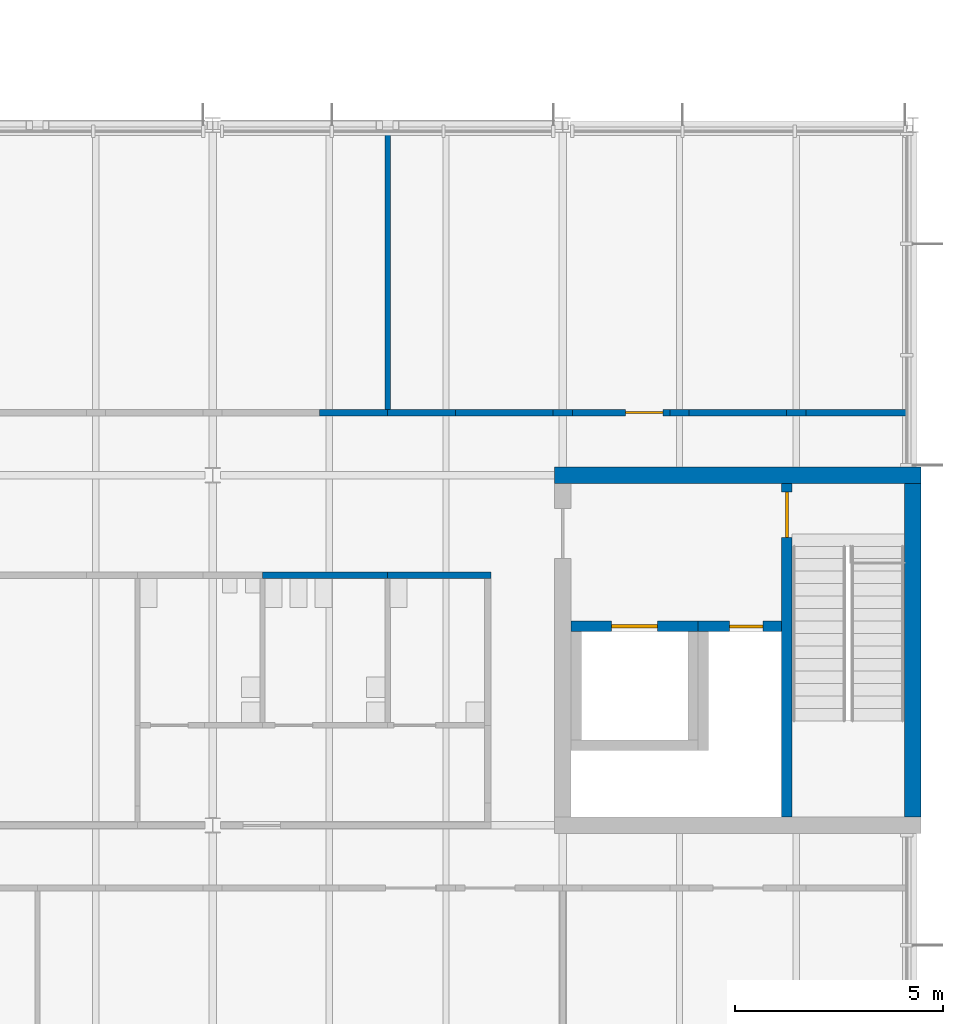
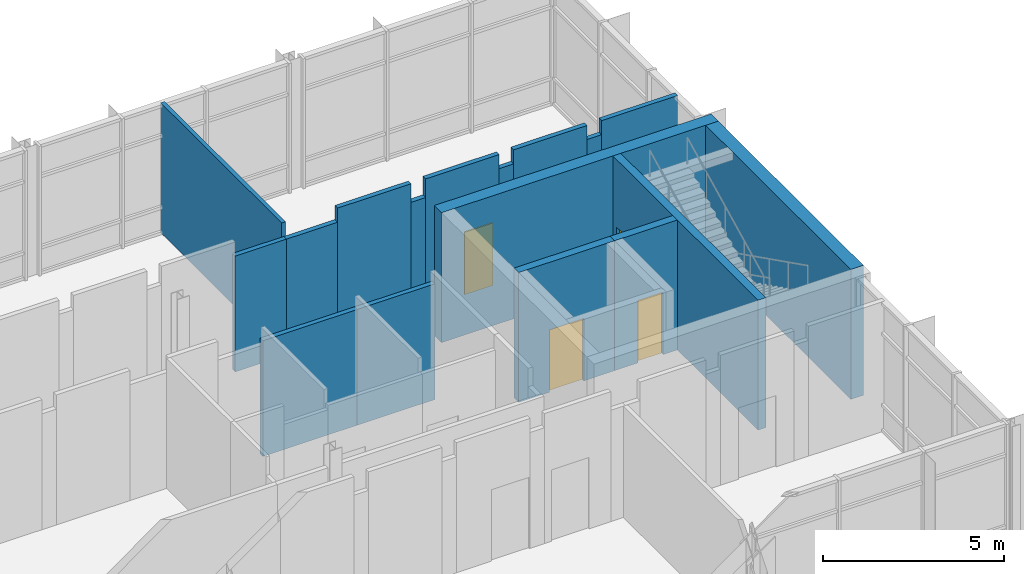
# One storey, part 49 of 72: 17 walls, 4 doors, 4 openings.
"""IFC4 building model written with IfcOpenShell, lengths in metres."""

import ifcopenshell
import ifcopenshell.guid

model = None  # the IFC model being written
_history = None  # IfcOwnerHistory: only IFC2X3 demands one
_inside = {}  # id of a spatial element -> (the spatial element, [elements in it])
_under = {}  # id of a project, library or spatial element -> (it, [spatial elements below it])
_declared = {}  # id of a project -> (the project, [libraries it declares])
_typed = {}  # id of a type object -> (the type object, [elements of that type])
_made_of = {}  # id of a material, layer set ... -> (it, [elements and type objects made of it])


def new_model(schema):
    """Start an empty IFC model of exactly this schema.

    Asked for "IFC4X3", IfcOpenShell would pick the latest addendum, in which some entities
    have other attributes; the version numbers below select the first issue.
    IFC2X3 requires an IfcOwnerHistory on every rooted entity: one is made here for all.
    """
    global model, _history
    if schema == "IFC4X3":
        model = ifcopenshell.file(schema_version=(4, 3, 0, 0))
    else:
        model = ifcopenshell.file(schema=schema)
    _inside.clear()
    _under.clear()
    _declared.clear()
    _typed.clear()
    _made_of.clear()
    _history = None
    if model.schema == "IFC2X3":
        org = make("IfcOrganization", Name="unknown")
        user = make(
            "IfcPersonAndOrganization",
            ThePerson=make("IfcPerson", FamilyName="unknown"),
            TheOrganization=org,
        )
        app = make(
            "IfcApplication",
            ApplicationDeveloper=org,
            Version="unknown",
            ApplicationFullName="unknown",
            ApplicationIdentifier="unknown",
        )
        _history = make(
            "IfcOwnerHistory",
            OwningUser=user,
            OwningApplication=app,
            ChangeAction="ADDED",
            CreationDate=0,
        )
    return model


def make(cls, **values):
    """One entity of the class cls with the attributes given. An attribute that is None is left unset."""
    return model.create_entity(
        cls, **{name: value for name, value in values.items() if value is not None}
    )


def rooted(cls, **values):
    """An entity with a GlobalId (a new one), such as an element, a storey or a relation."""
    return make(cls, GlobalId=ifcopenshell.guid.new(), OwnerHistory=_history, **values)


def si_unit(unit_type, name, prefix=None):
    """IfcSIUnit, for example si_unit("LENGTHUNIT", "METRE", prefix="MILLI")."""
    return make("IfcSIUnit", UnitType=unit_type, Prefix=prefix, Name=name)


def assignment(units):
    """IfcUnitAssignment: the units of a project."""
    return None if units is None else make("IfcUnitAssignment", Units=units)


def point(xyz):
    """IfcCartesianPoint."""
    return None if xyz is None else make("IfcCartesianPoint", Coordinates=xyz)


def direction(xyz):
    """IfcDirection."""
    return None if xyz is None else make("IfcDirection", DirectionRatios=xyz)


def frame(location, z_axis=None, x_axis=None):
    """IfcAxis2Placement3D, a coordinate frame: its origin and axes. An axis left out is left unset."""
    return make(
        "IfcAxis2Placement3D",
        Location=point(location),
        Axis=direction(z_axis),
        RefDirection=direction(x_axis),
    )


def frame_2d(location, x_axis=None):
    """IfcAxis2Placement2D, a coordinate frame in the plane: its origin and x axis."""
    return make(
        "IfcAxis2Placement2D", Location=point(location), RefDirection=direction(x_axis)
    )


def origin():
    """The frame at (0, 0, 0) with its axes left unset."""
    return frame((0.0, 0.0, 0.0))


def place(relative_to, where):
    """IfcLocalPlacement: puts the frame where relative to a parent placement (None: the world)."""
    return make(
        "IfcLocalPlacement", PlacementRelTo=relative_to, RelativePlacement=where
    )


def context(
    kind, dimensions, precision=None, world=None, true_north=None, identifier=None
):
    """IfcGeometricRepresentationContext, for example the 3D "Model" context."""
    return make(
        "IfcGeometricRepresentationContext",
        ContextIdentifier=identifier,
        ContextType=kind,
        CoordinateSpaceDimension=dimensions,
        Precision=precision,
        WorldCoordinateSystem=world,
        TrueNorth=true_north,
    )


def subcontext(parent, identifier, kind, view, scale=None):
    """IfcGeometricRepresentationSubContext, for example "Body" below "Model"."""
    return make(
        "IfcGeometricRepresentationSubContext",
        ContextIdentifier=identifier,
        ContextType=kind,
        ParentContext=parent,
        TargetScale=scale,
        TargetView=view,
    )


def project(units=None, contexts=None):
    """IfcProject with its units and contexts."""
    return rooted(
        "IfcProject",
        Name="project",
        RepresentationContexts=contexts,
        UnitsInContext=assignment(units),
    )


def spatial(cls, under=None, at=None, **own):
    """A site, building, storey or space (cls), placed at a placement, below another one or the project."""
    s = rooted(cls, ObjectPlacement=at, **own)
    if under is not None:
        _under.setdefault(under.id(), (under, []))[1].append(s)
    return s


def profile(cls, at=None, kind="AREA", **sizes):
    """A parametric profile (cls). Its sizes go by their IFC names, for example OverallWidth=200.0."""
    return make(cls, ProfileType=kind, Position=at, **sizes)


def rectangle(**sizes):
    """IfcRectangleProfileDef."""
    return profile("IfcRectangleProfileDef", **sizes)


def extrude(swept, where, along, depth):
    """IfcExtrudedAreaSolid: the profile swept, set in the frame where, extruded along a direction by depth."""
    return make(
        "IfcExtrudedAreaSolid",
        SweptArea=swept,
        Position=where,
        ExtrudedDirection=direction(along),
        Depth=depth,
    )


def shape(context_of_items, identifier, shape_type, items):
    """IfcShapeRepresentation: the items that make up one representation, for example the "Body"."""
    return make(
        "IfcShapeRepresentation",
        ContextOfItems=context_of_items,
        RepresentationIdentifier=identifier,
        RepresentationType=shape_type,
        Items=items,
    )


def material(Name=None, Category=None):
    """IfcMaterial."""
    return make("IfcMaterial", Name=Name, Category=Category)


def layer(
    of_material, thickness, ventilated=None, Name=None, Category=None, Priority=None
):
    """IfcMaterialLayer: one layer of a wall or slab, of a material (None: an air gap)."""
    return make(
        "IfcMaterialLayer",
        Material=of_material,
        LayerThickness=thickness,
        IsVentilated=ventilated,
        Name=Name,
        Category=Category,
        Priority=Priority,
    )


def layer_set(layers, Name=None):
    """IfcMaterialLayerSet."""
    return make("IfcMaterialLayerSet", MaterialLayers=layers, LayerSetName=Name)


def made_of(thing, what):
    """Note that an element or type object is made of a material, layer set ...; save() writes the relation."""
    if what is not None:
        _made_of.setdefault(what.id(), (what, []))[1].append(thing)
    return thing


def type_object(cls, material=None, **own):
    """A type object (cls), such as IfcWallType, which elements share."""
    return made_of(rooted(cls, **own), material)


def element(
    cls,
    number,
    at=None,
    inside=None,
    cuts=None,
    type_object=None,
    material=None,
    context=None,
    identifier="Body",
    shape_type=None,
    held_by="IfcProductDefinitionShape",
    body=None,
    shapes=None,
    **own,
):
    """One element of the class cls, such as IfcWall. Its Tag is "e" and its number.

    at: its placement. inside: the storey or other place that contains it. cuts: it is an
    opening in that element (IfcRelVoidsElement). A single representation is given by context,
    identifier, shape_type and body (its items); several are given by shapes. held_by: the class
    of the entity that holds the representations. save() writes the other relations.
    """
    e = rooted(cls, Tag="e%d" % number, ObjectPlacement=at, **own)
    if body is not None:
        shapes = [shape(context, identifier, shape_type, body)]
    if shapes is not None:
        e.Representation = make(held_by, Representations=shapes)
    if inside is not None:
        _inside.setdefault(inside.id(), (inside, []))[1].append(e)
    if cuts is not None:
        rooted(
            "IfcRelVoidsElement", RelatingBuildingElement=cuts, RelatedOpeningElement=e
        )
    if type_object is not None:
        _typed.setdefault(type_object.id(), (type_object, []))[1].append(e)
    return made_of(e, material)


def fill(opening, filler):
    """IfcRelFillsElement: the door or window that sits in an opening."""
    return rooted(
        "IfcRelFillsElement",
        RelatingOpeningElement=opening,
        RelatedBuildingElement=filler,
    )


def aggregate(whole, parts):
    """IfcRelAggregates: a whole, such as a stair, and the parts it consists of."""
    return rooted("IfcRelAggregates", RelatingObject=whole, RelatedObjects=parts)


def save(model, path):
    """Write the relations noted so far, then the file.

    IfcRelAggregates (storeys below a building ...), IfcRelContainedInSpatialStructure (elements
    in a storey), IfcRelDefinesByType, IfcRelAssociatesMaterial and IfcRelDeclares: one each for
    every whole, place, type object, material and project.
    """
    for whole, parts in _under.values():
        aggregate(whole, parts)
    for where, things in _inside.values():
        rooted(
            "IfcRelContainedInSpatialStructure",
            RelatedElements=things,
            RelatingStructure=where,
        )
    for kind, things in _typed.values():
        rooted("IfcRelDefinesByType", RelatedObjects=things, RelatingType=kind)
    for what, things in _made_of.values():
        rooted("IfcRelAssociatesMaterial", RelatedObjects=things, RelatingMaterial=what)
    for by, libraries in _declared.values():
        rooted("IfcRelDeclares", RelatingContext=by, RelatedDefinitions=libraries)
    model.write(path)


model = new_model("IFC4")

# Units and contexts
model_context = context("Model", 3, precision=1e-05, world=origin(), true_north=direction((0.0, 1.0)))
body_context = subcontext(model_context, "Body", "Model", "MODEL_VIEW")
ifc_project = project(units=[si_unit("LENGTHUNIT", "METRE"), si_unit("AREAUNIT", "SQUARE_METRE"), si_unit("VOLUMEUNIT", "CUBIC_METRE"), si_unit("PLANEANGLEUNIT", "RADIAN"), si_unit("MASSUNIT", "GRAM", prefix="KILO")], contexts=[model_context])

# Site, building, storey
site_placement = place(None, origin())
site = spatial("IfcSite", under=ifc_project, at=site_placement, CompositionType="ELEMENT")
building_placement = place(site_placement, origin())
building = spatial("IfcBuilding", under=site, at=building_placement, Name="Hlaing Beacon Police Headquarters", CompositionType="ELEMENT")
storey_placement = place(building_placement, frame((0.0, 0.0, 14.39990234375)))
storey = spatial("IfcBuildingStorey", under=building, at=storey_placement, Name="L03", CompositionType="ELEMENT", Elevation=14.39990234375)

# Walls
ifc_material_1 = material(Name="Concrete C60/75", Category="concrete")
ifc_layer_1 = layer(ifc_material_1, 0.39990234375)
ifc_layer_set_1 = layer_set([ifc_layer_1], Name="Concrete C60/75")
wall_type_1 = type_object("IfcWallType", Name="Core shear wall 400", PredefinedType="SHEAR", material=ifc_layer_set_1)
wall_1_placement = place(storey_placement, frame((125.800048828125, 84.0, 0.0), z_axis=(0.0, 0.0, 1.0), x_axis=(1.0, 0.0, 0.0)))
element("IfcWall", 1, at=wall_1_placement, inside=storey, type_object=wall_type_1, Name="Core shear wall", PredefinedType="SHEAR", context=body_context, shape_type="SweptSolid", body=[
    extrude(rectangle(XDim=8.800048828125, YDim=0.39990234375, at=frame_2d((4.39990234375, 0.0))), origin(), (0.0, 0.0, 1.0), 4.3701171875),
])
wall_2_placement = place(storey_placement, frame((134.39990234375, 75.800048828125, 0.0), z_axis=(0.0, 0.0, 1.0), x_axis=(0.0, 1.0, 0.0)))
element("IfcWall", 2, at=wall_2_placement, inside=storey, type_object=wall_type_1, Name="Core shear wall", PredefinedType="SHEAR", context=body_context, shape_type="SweptSolid", body=[
    extrude(rectangle(XDim=8.0, YDim=0.39990234375, at=frame_2d((4.0, 0.0))), origin(), (0.0, 0.0, 1.0), 4.3701171875),
])
ifc_material_2 = material(Name="Gypsum board partition")
ifc_layer_2 = layer(ifc_material_2, 0.14990234375)
ifc_layer_set_2 = layer_set([ifc_layer_2], Name="Gypsum board partition")
wall_type_2 = type_object("IfcWallType", Name="Corridor wall EI 30 150", PredefinedType="PARTITIONING", material=ifc_layer_set_2)
wall_3_placement = place(storey_placement, frame((121.800048828125, 81.60009765625, 0.0), z_axis=(0.0, 0.0, 1.0), x_axis=(1.0, 0.0, 0.0)))
element("IfcWall", 3, at=wall_3_placement, inside=storey, type_object=wall_type_2, Name="Corridor wall EI 30 150", PredefinedType="PARTITIONING", context=body_context, shape_type="SweptSolid", body=[
    extrude(rectangle(XDim=2.474853515625, YDim=0.14990234375, at=frame_2d((1.2373046875, 0.0))), origin(), (0.0, 0.0, 1.0), 3.89501953125),
])
wall_4_placement = place(storey_placement, frame((118.800048828125, 81.60009765625, 0.0), z_axis=(0.0, 0.0, 1.0), x_axis=(1.0, 0.0, 0.0)))
element("IfcWall", 4, at=wall_4_placement, inside=storey, type_object=wall_type_2, Name="Corridor wall EI 30 150", PredefinedType="PARTITIONING", context=body_context, shape_type="SweptSolid", body=[
    extrude(rectangle(XDim=3.0, YDim=0.14990234375, at=frame_2d((1.5, 0.0))), origin(), (0.0, 0.0, 1.0), 3.89501953125),
])
wall_5_placement = place(storey_placement, frame((120.169921875, 85.5, 0.0), z_axis=(0.0, 0.0, 1.0), x_axis=(1.0, 0.0, 0.0)))
element("IfcWall", 5, at=wall_5_placement, inside=storey, type_object=wall_type_2, Name="Corridor wall EI 30 150", PredefinedType="PARTITIONING", context=body_context, shape_type="SweptSolid", body=[
    extrude(rectangle(XDim=1.630126953125, YDim=0.14990234375, at=frame_2d((0.81494140625, 0.0))), origin(), (0.0, 0.0, 1.0), 3.89501953125),
])
wall_6_placement = place(storey_placement, frame((121.800048828125, 85.5, 0.0), z_axis=(0.0, 0.0, 1.0), x_axis=(1.0, 0.0, 0.0)))
element("IfcWall", 6, at=wall_6_placement, inside=storey, type_object=wall_type_2, Name="Corridor wall EI 30 150", PredefinedType="PARTITIONING", context=body_context, shape_type="SweptSolid", body=[
    extrude(rectangle(XDim=1.6298828125, YDim=0.14990234375, at=frame_2d((0.81494140625, 0.0))), origin(), (0.0, 0.0, 1.0), 3.89501953125),
])
wall_7_placement = place(storey_placement, frame((123.429931640625, 85.5, 0.0), z_axis=(0.0, 0.0, 1.0), x_axis=(1.0, 0.0, 0.0)))
element("IfcWall", 7, at=wall_7_placement, inside=storey, type_object=wall_type_2, Name="Corridor wall EI 30 150", PredefinedType="PARTITIONING", context=body_context, shape_type="SweptSolid", body=[
    extrude(rectangle(XDim=2.340087890625, YDim=0.14990234375, at=frame_2d((1.169921875, 0.0))), origin(), (0.0, 0.0, 1.0), 4.3701171875),
])
wall_8_placement = place(storey_placement, frame((125.77001953125, 85.5, 0.0), z_axis=(0.0, 0.0, 1.0), x_axis=(1.0, 0.0, 0.0)))
element("IfcWall", 8, at=wall_8_placement, inside=storey, type_object=wall_type_2, Name="Corridor wall EI 30 150", PredefinedType="PARTITIONING", context=body_context, shape_type="SweptSolid", body=[
    extrude(rectangle(XDim=0.4599609375, YDim=0.14990234375, at=frame_2d((0.22998046875, 0.0))), origin(), (0.0, 0.0, 1.0), 3.74609375),
])

# Wall, opening, door
wall_9_placement = place(storey_placement, frame((126.22998046875, 85.5, 0.0), z_axis=(0.0, 0.0, 1.0), x_axis=(1.0, 0.0, 0.0)))
wall_9 = element("IfcWall", 9, at=wall_9_placement, inside=storey, type_object=wall_type_2, Name="Corridor wall EI 30 150", PredefinedType="PARTITIONING", context=body_context, shape_type="SweptSolid", body=[
    extrude(rectangle(XDim=2.340087890625, YDim=0.14990234375, at=frame_2d((1.169921875, 0.0))), origin(), (0.0, 0.0, 1.0), 4.3701171875),
])
opening_1_placement = place(wall_9_placement, frame((1.27001953125, 0.0, 0.0)))
opening_1 = element("IfcOpeningElement", 10, at=opening_1_placement, cuts=wall_9, Name="Opening L03-039", PredefinedType="OPENING", context=body_context, shape_type="SweptSolid", body=[
    extrude(rectangle(XDim=0.89990234375, YDim=2.10009765625, at=frame_2d((0.449951171875, 1.050048828125))), frame((0.0, 0.0849609375, 0.0), z_axis=(0.0, -1.0, 0.0), x_axis=(1.0, 0.0, 0.0)), (0.0, 0.0, 1.0), 0.169921875),
])
ifc_material_3 = material(Name="Hardwood door leaf", Category="wood")
ifc_layer_3 = layer(ifc_material_3, 0.050048828125)
ifc_layer_set_3 = layer_set([ifc_layer_3], Name="Hardwood door leaf")
door_type_1 = type_object("IfcDoorType", Name="Fire door FD30S 900x2100", OperationType="SINGLE_SWING_LEFT", PredefinedType="DOOR", material=ifc_layer_set_3)
door_1_placement = place(opening_1_placement, origin())
door_1 = element("IfcDoor", 11, at=door_1_placement, inside=storey, type_object=door_type_1, Name="Door Training Offices", OperationType="SINGLE_SWING_RIGHT", OverallHeight=2.10009765625, OverallWidth=0.89990234375, PredefinedType="DOOR", context=body_context, shape_type="SweptSolid", body=[
    extrude(rectangle(XDim=0.89990234375, YDim=2.10009765625, at=frame_2d((0.449951171875, 1.050048828125))), frame((0.0, 0.02490234375, 0.0), z_axis=(0.0, -1.0, 0.0), x_axis=(1.0, 0.0, 0.0)), (0.0, 0.0, 1.0), 0.050048828125),
])
fill(opening_1, door_1)

# Walls
wall_10_placement = place(storey_placement, frame((128.570068359375, 85.5, 0.0), z_axis=(0.0, 0.0, 1.0), x_axis=(1.0, 0.0, 0.0)))
element("IfcWall", 12, at=wall_10_placement, inside=storey, type_object=wall_type_2, Name="Corridor wall EI 30 150", PredefinedType="PARTITIONING", context=body_context, shape_type="SweptSolid", body=[
    extrude(rectangle(XDim=0.4599609375, YDim=0.14990234375, at=frame_2d((0.22998046875, 0.0))), origin(), (0.0, 0.0, 1.0), 3.89501953125),
])
wall_11_placement = place(storey_placement, frame((129.030029296875, 85.5, 0.0), z_axis=(0.0, 0.0, 1.0), x_axis=(1.0, 0.0, 0.0)))
element("IfcWall", 13, at=wall_11_placement, inside=storey, type_object=wall_type_2, Name="Corridor wall EI 30 150", PredefinedType="PARTITIONING", context=body_context, shape_type="SweptSolid", body=[
    extrude(rectangle(XDim=2.340087890625, YDim=0.14990234375, at=frame_2d((1.169921875, 0.0))), origin(), (0.0, 0.0, 1.0), 4.3701171875),
])
wall_12_placement = place(storey_placement, frame((131.3701171875, 85.5, 0.0), z_axis=(0.0, 0.0, 1.0), x_axis=(1.0, 0.0, 0.0)))
element("IfcWall", 14, at=wall_12_placement, inside=storey, type_object=wall_type_2, Name="Corridor wall EI 30 150", PredefinedType="PARTITIONING", context=body_context, shape_type="SweptSolid", body=[
    extrude(rectangle(XDim=0.4599609375, YDim=0.14990234375, at=frame_2d((0.22998046875, 0.0))), origin(), (0.0, 0.0, 1.0), 3.89501953125),
])
wall_13_placement = place(storey_placement, frame((131.830078125, 85.5, 0.0), z_axis=(0.0, 0.0, 1.0), x_axis=(1.0, 0.0, 0.0)))
element("IfcWall", 15, at=wall_13_placement, inside=storey, type_object=wall_type_2, Name="Corridor wall EI 30 150", PredefinedType="PARTITIONING", context=body_context, shape_type="SweptSolid", body=[
    extrude(rectangle(XDim=2.419921875, YDim=0.14990234375, at=frame_2d((1.2099609375, 0.0))), origin(), (0.0, 0.0, 1.0), 4.3701171875),
])
ifc_material_4 = material(Name="Gypsum board partition")
ifc_layer_4 = layer(ifc_material_4, 0.125)
ifc_layer_set_4 = layer_set([ifc_layer_4], Name="Gypsum board partition")
wall_type_3 = type_object("IfcWallType", Name="Partition 125", PredefinedType="PARTITIONING", material=ifc_layer_set_4)
wall_14_placement = place(storey_placement, frame((121.800048828125, 85.574951171875, 0.0), z_axis=(0.0, 0.0, 1.0), x_axis=(0.0, 1.0, 0.0)))
element("IfcWall", 16, at=wall_14_placement, inside=storey, type_object=wall_type_3, Name="Partition 125", PredefinedType="PARTITIONING", context=body_context, shape_type="SweptSolid", body=[
    extrude(rectangle(XDim=6.675048828125, YDim=0.125, at=frame_2d((3.33740234375, 0.0))), origin(), (0.0, 0.0, 1.0), 4.3701171875),
])

# Wall, opening, door
ifc_material_5 = material(Name="Concrete C40/50", Category="concrete")
ifc_layer_5 = layer(ifc_material_5, 0.25)
ifc_layer_set_5 = layer_set([ifc_layer_5], Name="Concrete C40/50")
wall_type_4 = type_object("IfcWallType", Name="Shaft wall 250", PredefinedType="SOLIDWALL", material=ifc_layer_set_5)
wall_15_placement = place(storey_placement, frame((131.375, 83.800048828125, 0.0), z_axis=(0.0, 0.0, 1.0), x_axis=(0.0, -1.0, 0.0)))
wall_15 = element("IfcWall", 17, at=wall_15_placement, inside=storey, type_object=wall_type_4, Name="Stair enclosure wall", PredefinedType="SOLIDWALL", context=body_context, shape_type="SweptSolid", body=[
    extrude(rectangle(XDim=8.0, YDim=0.25, at=frame_2d((4.0, 0.0))), origin(), (0.0, 0.0, 1.0), 4.3701171875),
])
opening_2_placement = place(wall_15_placement, frame((0.199951171875, 0.0, 0.0)))
opening_2 = element("IfcOpeningElement", 18, at=opening_2_placement, cuts=wall_15, Name="Opening L03-944", PredefinedType="OPENING", context=body_context, shape_type="SweptSolid", body=[
    extrude(rectangle(XDim=1.10009765625, YDim=2.10009765625, at=frame_2d((0.550048828125, 1.050048828125))), frame((0.0, 0.135009765625, 0.0), z_axis=(0.0, -1.0, 0.0), x_axis=(1.0, 0.0, 0.0)), (0.0, 0.0, 1.0), 0.27001953125),
])
ifc_material_6 = material(Name="Steel fire door leaf", Category="steel")
ifc_layer_6 = layer(ifc_material_6, 0.070068359375)
ifc_layer_set_6 = layer_set([ifc_layer_6], Name="Steel fire door leaf")
door_type_2 = type_object("IfcDoorType", Name="Steel fire door FD60 1100x2100", OperationType="SINGLE_SWING_LEFT", PredefinedType="DOOR", material=ifc_layer_set_6)
door_2_placement = place(opening_2_placement, origin())
door_2 = element("IfcDoor", 19, at=door_2_placement, inside=storey, type_object=door_type_2, Name="Door Stair ST-R", OperationType="SINGLE_SWING_RIGHT", OverallHeight=2.10009765625, OverallWidth=1.10009765625, PredefinedType="DOOR", context=body_context, shape_type="SweptSolid", body=[
    extrude(rectangle(XDim=1.10009765625, YDim=2.10009765625, at=frame_2d((0.550048828125, 1.050048828125))), frame((0.0, 0.03515625, 0.0), z_axis=(0.0, -1.0, 0.0), x_axis=(1.0, 0.0, 0.0)), (0.0, 0.0, 1.0), 0.070068359375),
])
fill(opening_2, door_2)

wall_16_placement = place(storey_placement, frame((131.25, 80.375, 0.0), z_axis=(0.0, 0.0, 1.0), x_axis=(-1.0, 0.0, 0.0)))
wall_16 = element("IfcWall", 20, at=wall_16_placement, inside=storey, type_object=wall_type_4, Name="Firefighting lobby wall", PredefinedType="SOLIDWALL", context=body_context, shape_type="SweptSolid", body=[
    extrude(rectangle(XDim=2.0, YDim=0.25, at=frame_2d((1.0, 0.0))), origin(), (0.0, 0.0, 1.0), 4.3701171875),
])
opening_3_placement = place(wall_16_placement, frame((0.449951171875, 0.0, 0.0)))
opening_3 = element("IfcOpeningElement", 21, at=opening_3_placement, cuts=wall_16, Name="Opening L03-943", PredefinedType="OPENING", context=body_context, shape_type="SweptSolid", body=[
    extrude(rectangle(XDim=0.800048828125, YDim=2.10009765625, at=frame_2d((0.39990234375, 1.050048828125))), frame((0.0, 0.135009765625, 0.0), z_axis=(0.0, -1.0, 0.0), x_axis=(1.0, 0.0, 0.0)), (0.0, 0.0, 1.0), 0.27001953125),
])
ifc_material_7 = material(Name="Steel fire door leaf", Category="steel")
ifc_layer_7 = layer(ifc_material_7, 0.070068359375)
ifc_layer_set_7 = layer_set([ifc_layer_7], Name="Steel fire door leaf")
door_type_3 = type_object("IfcDoorType", Name="Steel fire door FD60 800x2100", OperationType="SINGLE_SWING_LEFT", PredefinedType="DOOR", material=ifc_layer_set_7)
door_3_placement = place(opening_3_placement, origin())
door_3 = element("IfcDoor", 22, at=door_3_placement, inside=storey, type_object=door_type_3, Name="Door Services Riser", OperationType="SINGLE_SWING_RIGHT", OverallHeight=2.10009765625, OverallWidth=0.800048828125, PredefinedType="DOOR", context=body_context, shape_type="SweptSolid", body=[
    extrude(rectangle(XDim=0.800048828125, YDim=2.10009765625, at=frame_2d((0.39990234375, 1.050048828125))), frame((0.0, 0.03515625, 0.0), z_axis=(0.0, -1.0, 0.0), x_axis=(1.0, 0.0, 0.0)), (0.0, 0.0, 1.0), 0.070068359375),
])
fill(opening_3, door_3)

wall_17_placement = place(storey_placement, frame((126.199951171875, 80.375, 0.0), z_axis=(0.0, 0.0, 1.0), x_axis=(1.0, 0.0, 0.0)))
wall_17 = element("IfcWall", 23, at=wall_17_placement, inside=storey, type_object=wall_type_4, Name="Lift shaft wall FL3", PredefinedType="SOLIDWALL", context=body_context, shape_type="SweptSolid", body=[
    extrude(rectangle(XDim=3.050048828125, YDim=0.25, at=frame_2d((1.52490234375, 0.0))), origin(), (0.0, 0.0, 1.0), 4.3701171875),
])
opening_4_placement = place(wall_17_placement, frame((0.97509765625, 0.0, 0.0)))
opening_4 = element("IfcOpeningElement", 24, at=opening_4_placement, cuts=wall_17, Name="Opening LD-FL3-L03", PredefinedType="OPENING", context=body_context, shape_type="SweptSolid", body=[
    extrude(rectangle(XDim=1.10009765625, YDim=2.10009765625, at=frame_2d((0.550048828125, 1.050048828125))), frame((0.0, 0.135009765625, 0.0), z_axis=(0.0, -1.0, 0.0), x_axis=(1.0, 0.0, 0.0)), (0.0, 0.0, 1.0), 0.27001953125),
])
ifc_material_8 = material(Name="Stainless steel lift landing door", Category="steel")
ifc_layer_8 = layer(ifc_material_8, 0.06005859375)
ifc_layer_set_8 = layer_set([ifc_layer_8], Name="Stainless steel lift landing door")
door_type_4 = type_object("IfcDoorType", Name="Lift landing door 1100x2100", OperationType="DOUBLE_DOOR_SLIDING", PredefinedType="DOOR", material=ifc_layer_set_8)
door_4_placement = place(opening_4_placement, origin())
door_4 = element("IfcDoor", 25, at=door_4_placement, inside=storey, type_object=door_type_4, Name="Landing door FL3 L03", OperationType="DOUBLE_DOOR_SLIDING", OverallHeight=2.10009765625, OverallWidth=1.10009765625, PredefinedType="DOOR", context=body_context, shape_type="SweptSolid", body=[
    extrude(rectangle(XDim=1.10009765625, YDim=2.10009765625, at=frame_2d((0.550048828125, 1.050048828125))), frame((0.0, 0.0400390625, 0.0), z_axis=(0.0, -1.0, 0.0), x_axis=(1.0, 0.0, 0.0)), (0.0, 0.0, 1.0), 0.080078125),
])
fill(opening_4, door_4)

save(model, "model.ifc")
